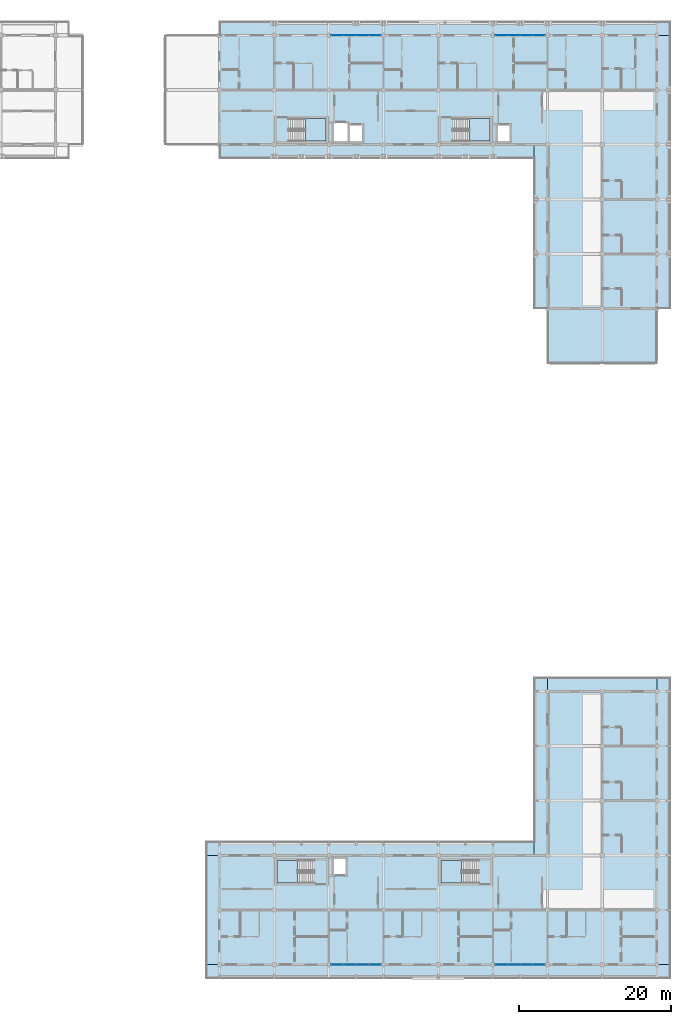
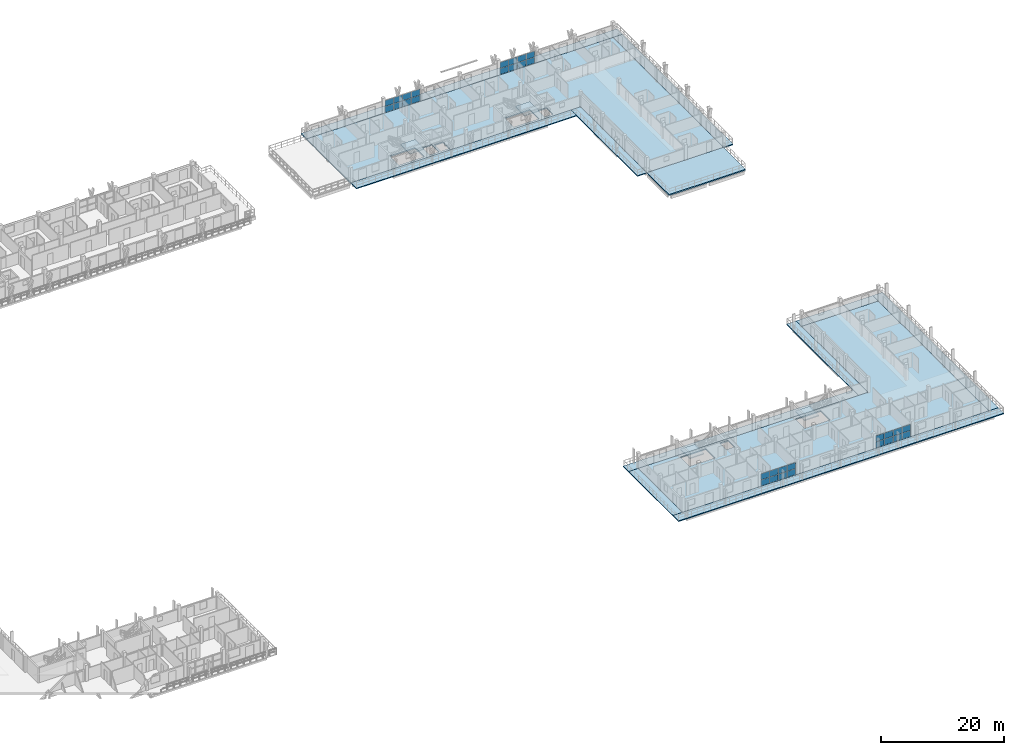
# One storey, part 31 of 73: 32 plates, 17 slabs, 8 elements without a shape of their own.
"""IFC4 building model written with IfcOpenShell, lengths in metres."""

from ifc_helpers import new_model, si_unit, direction, frame, origin, origin_2d, place, context, subcontext, project, spatial, polyline, rectangle, outline, extrude, material, layer, layer_set, type_object, element, aggregate, save


model = new_model("IFC4")

# Units and contexts
model_context = context("Model", 3, precision=1e-05, world=origin(), true_north=direction((0.0, 1.0)))
body_context = subcontext(model_context, "Body", "Model", "MODEL_VIEW")
ifc_project = project(units=[si_unit("LENGTHUNIT", "METRE"), si_unit("AREAUNIT", "SQUARE_METRE"), si_unit("VOLUMEUNIT", "CUBIC_METRE"), si_unit("PLANEANGLEUNIT", "RADIAN"), si_unit("MASSUNIT", "GRAM", prefix="KILO")], contexts=[model_context])

# Site, building, storey
site_placement = place(None, origin())
site = spatial("IfcSite", under=ifc_project, at=site_placement, CompositionType="ELEMENT")
building_placement = place(site_placement, origin())
building = spatial("IfcBuilding", under=site, at=building_placement, Name="Suanplinth Sawtooth Commons", CompositionType="ELEMENT")
storey_placement = place(building_placement, frame((0.0, 0.0, 21.89990234375)))
storey = spatial("IfcBuildingStorey", under=building, at=storey_placement, Name="L06", CompositionType="ELEMENT", Elevation=21.89990234375)

# Curtain wall, plates
ifc_material_1 = material(Name="Anodized aluminium and low-E glazing", Category="aluminium")
curtain_wall_type = type_object("IfcCurtainWallType", Name="CW-06", PredefinedType="USERDEFINED", material=ifc_material_1)
curtain_wall_1_placement = place(storey_placement, origin())
curtain_wall_1 = element("IfcCurtainWall", 1, at=curtain_wall_1_placement, inside=storey, type_object=curtain_wall_type, Name="Curtain Wall CW-L06-B-LOUNGE-20", ObjectType="CURTAIN WALL", PredefinedType="USERDEFINED")
ifc_material_2 = material(Name="Tempered low-E double glazing", Category="glass")
ifc_layer_1 = layer(ifc_material_2, 0.028076171875, Name="Vision low-E insulated glazing unit 28mm")
ifc_layer_set_1 = layer_set([ifc_layer_1], Name="Tempered low-E double glazing")
plate_type = type_object("IfcPlateType", Name="PL-05", PredefinedType="CURTAIN_PANEL", material=ifc_layer_set_1)
plate_1_placement = place(storey_placement, frame((145.12255859375, 122.39990234375, 0.065185546875), z_axis=(0.0, 0.0, 1.0), x_axis=(1.0, 0.0, 0.0)))
plate_1 = element("IfcPlate", 2, at=plate_1_placement, type_object=plate_type, Name="CW-06 panel 1.1", PredefinedType="CURTAIN_PANEL", context=body_context, shape_type="SweptSolid", body=[
    extrude(rectangle(XDim=1.56494140625, YDim=0.028076171875, at=origin_2d()), origin(), (0.0, 0.0, 1.0), 1.16748046875),
])
plate_2_placement = place(storey_placement, frame((145.12255859375, 122.39990234375, 1.297607421875), z_axis=(0.0, 0.0, 1.0), x_axis=(1.0, 0.0, 0.0)))
plate_2 = element("IfcPlate", 3, at=plate_2_placement, type_object=plate_type, Name="CW-06 panel 1.2", PredefinedType="CURTAIN_PANEL", context=body_context, shape_type="SweptSolid", body=[
    extrude(rectangle(XDim=1.56494140625, YDim=0.028076171875, at=origin_2d()), origin(), (0.0, 0.0, 1.0), 1.16748046875),
])
plate_3_placement = place(storey_placement, frame((146.768798828125, 122.39990234375, 0.065185546875), z_axis=(0.0, 0.0, 1.0), x_axis=(1.0, 0.0, 0.0)))
plate_3 = element("IfcPlate", 4, at=plate_3_placement, type_object=plate_type, Name="CW-06 panel 2.1", PredefinedType="CURTAIN_PANEL", context=body_context, shape_type="SweptSolid", body=[
    extrude(rectangle(XDim=1.597412109375, YDim=0.028076171875, at=origin_2d()), origin(), (0.0, 0.0, 1.0), 1.16748046875),
])
plate_4_placement = place(storey_placement, frame((146.768798828125, 122.39990234375, 1.297607421875), z_axis=(0.0, 0.0, 1.0), x_axis=(1.0, 0.0, 0.0)))
plate_4 = element("IfcPlate", 5, at=plate_4_placement, type_object=plate_type, Name="CW-06 panel 2.2", PredefinedType="CURTAIN_PANEL", context=body_context, shape_type="SweptSolid", body=[
    extrude(rectangle(XDim=1.597412109375, YDim=0.028076171875, at=origin_2d()), origin(), (0.0, 0.0, 1.0), 1.16748046875),
])
plate_5_placement = place(storey_placement, frame((148.43115234375, 122.39990234375, 0.065185546875), z_axis=(0.0, 0.0, 1.0), x_axis=(1.0, 0.0, 0.0)))
plate_5 = element("IfcPlate", 6, at=plate_5_placement, type_object=plate_type, Name="CW-06 panel 3.1", PredefinedType="CURTAIN_PANEL", context=body_context, shape_type="SweptSolid", body=[
    extrude(rectangle(XDim=1.597412109375, YDim=0.028076171875, at=origin_2d()), origin(), (0.0, 0.0, 1.0), 1.16748046875),
])
plate_6_placement = place(storey_placement, frame((148.43115234375, 122.39990234375, 1.297607421875), z_axis=(0.0, 0.0, 1.0), x_axis=(1.0, 0.0, 0.0)))
plate_6 = element("IfcPlate", 7, at=plate_6_placement, type_object=plate_type, Name="CW-06 panel 3.2", PredefinedType="CURTAIN_PANEL", context=body_context, shape_type="SweptSolid", body=[
    extrude(rectangle(XDim=1.597412109375, YDim=0.028076171875, at=origin_2d()), origin(), (0.0, 0.0, 1.0), 1.16748046875),
])
plate_7_placement = place(storey_placement, frame((150.077392578125, 122.39990234375, 0.065185546875), z_axis=(0.0, 0.0, 1.0), x_axis=(1.0, 0.0, 0.0)))
plate_7 = element("IfcPlate", 8, at=plate_7_placement, type_object=plate_type, Name="CW-06 panel 4.1", PredefinedType="CURTAIN_PANEL", context=body_context, shape_type="SweptSolid", body=[
    extrude(rectangle(XDim=1.56494140625, YDim=0.028076171875, at=origin_2d()), origin(), (0.0, 0.0, 1.0), 1.16748046875),
])
plate_8_placement = place(storey_placement, frame((150.077392578125, 122.39990234375, 1.297607421875), z_axis=(0.0, 0.0, 1.0), x_axis=(1.0, 0.0, 0.0)))
plate_8 = element("IfcPlate", 9, at=plate_8_placement, type_object=plate_type, Name="CW-06 panel 4.2", PredefinedType="CURTAIN_PANEL", context=body_context, shape_type="SweptSolid", body=[
    extrude(rectangle(XDim=1.56494140625, YDim=0.028076171875, at=origin_2d()), origin(), (0.0, 0.0, 1.0), 1.16748046875),
])
aggregate(curtain_wall_1, [plate_1, plate_2, plate_3, plate_4, plate_5, plate_6, plate_7, plate_8])

curtain_wall_2_placement = place(storey_placement, origin())
curtain_wall_2 = element("IfcCurtainWall", 10, at=curtain_wall_2_placement, inside=storey, type_object=curtain_wall_type, Name="Curtain Wall CW-L06-B-LOUNGE-23", ObjectType="CURTAIN WALL", PredefinedType="USERDEFINED")
plate_9_placement = place(storey_placement, frame((166.722412109375, 122.39990234375, 0.065185546875), z_axis=(0.0, 0.0, 1.0), x_axis=(1.0, 0.0, 0.0)))
plate_9 = element("IfcPlate", 11, at=plate_9_placement, type_object=plate_type, Name="CW-06 panel 1.1", PredefinedType="CURTAIN_PANEL", context=body_context, shape_type="SweptSolid", body=[
    extrude(rectangle(XDim=1.56494140625, YDim=0.028076171875, at=origin_2d()), origin(), (0.0, 0.0, 1.0), 1.16748046875),
])
plate_10_placement = place(storey_placement, frame((166.722412109375, 122.39990234375, 1.297607421875), z_axis=(0.0, 0.0, 1.0), x_axis=(1.0, 0.0, 0.0)))
plate_10 = element("IfcPlate", 12, at=plate_10_placement, type_object=plate_type, Name="CW-06 panel 1.2", PredefinedType="CURTAIN_PANEL", context=body_context, shape_type="SweptSolid", body=[
    extrude(rectangle(XDim=1.56494140625, YDim=0.028076171875, at=origin_2d()), origin(), (0.0, 0.0, 1.0), 1.16748046875),
])
plate_11_placement = place(storey_placement, frame((168.36865234375, 122.39990234375, 0.065185546875), z_axis=(0.0, 0.0, 1.0), x_axis=(1.0, 0.0, 0.0)))
plate_11 = element("IfcPlate", 13, at=plate_11_placement, type_object=plate_type, Name="CW-06 panel 2.1", PredefinedType="CURTAIN_PANEL", context=body_context, shape_type="SweptSolid", body=[
    extrude(rectangle(XDim=1.597412109375, YDim=0.028076171875, at=origin_2d()), origin(), (0.0, 0.0, 1.0), 1.16748046875),
])
plate_12_placement = place(storey_placement, frame((168.36865234375, 122.39990234375, 1.297607421875), z_axis=(0.0, 0.0, 1.0), x_axis=(1.0, 0.0, 0.0)))
plate_12 = element("IfcPlate", 14, at=plate_12_placement, type_object=plate_type, Name="CW-06 panel 2.2", PredefinedType="CURTAIN_PANEL", context=body_context, shape_type="SweptSolid", body=[
    extrude(rectangle(XDim=1.597412109375, YDim=0.028076171875, at=origin_2d()), origin(), (0.0, 0.0, 1.0), 1.16748046875),
])
plate_13_placement = place(storey_placement, frame((170.03125, 122.39990234375, 0.065185546875), z_axis=(0.0, 0.0, 1.0), x_axis=(1.0, 0.0, 0.0)))
plate_13 = element("IfcPlate", 15, at=plate_13_placement, type_object=plate_type, Name="CW-06 panel 3.1", PredefinedType="CURTAIN_PANEL", context=body_context, shape_type="SweptSolid", body=[
    extrude(rectangle(XDim=1.597412109375, YDim=0.028076171875, at=origin_2d()), origin(), (0.0, 0.0, 1.0), 1.16748046875),
])
plate_14_placement = place(storey_placement, frame((170.03125, 122.39990234375, 1.297607421875), z_axis=(0.0, 0.0, 1.0), x_axis=(1.0, 0.0, 0.0)))
plate_14 = element("IfcPlate", 16, at=plate_14_placement, type_object=plate_type, Name="CW-06 panel 3.2", PredefinedType="CURTAIN_PANEL", context=body_context, shape_type="SweptSolid", body=[
    extrude(rectangle(XDim=1.597412109375, YDim=0.028076171875, at=origin_2d()), origin(), (0.0, 0.0, 1.0), 1.16748046875),
])
plate_15_placement = place(storey_placement, frame((171.677490234375, 122.39990234375, 0.065185546875), z_axis=(0.0, 0.0, 1.0), x_axis=(1.0, 0.0, 0.0)))
plate_15 = element("IfcPlate", 17, at=plate_15_placement, type_object=plate_type, Name="CW-06 panel 4.1", PredefinedType="CURTAIN_PANEL", context=body_context, shape_type="SweptSolid", body=[
    extrude(rectangle(XDim=1.56494140625, YDim=0.028076171875, at=origin_2d()), origin(), (0.0, 0.0, 1.0), 1.16748046875),
])
plate_16_placement = place(storey_placement, frame((171.677490234375, 122.39990234375, 1.297607421875), z_axis=(0.0, 0.0, 1.0), x_axis=(1.0, 0.0, 0.0)))
plate_16 = element("IfcPlate", 18, at=plate_16_placement, type_object=plate_type, Name="CW-06 panel 4.2", PredefinedType="CURTAIN_PANEL", context=body_context, shape_type="SweptSolid", body=[
    extrude(rectangle(XDim=1.56494140625, YDim=0.028076171875, at=origin_2d()), origin(), (0.0, 0.0, 1.0), 1.16748046875),
])
aggregate(curtain_wall_2, [plate_9, plate_10, plate_11, plate_12, plate_13, plate_14, plate_15, plate_16])

curtain_wall_3_placement = place(storey_placement, origin())
curtain_wall_3 = element("IfcCurtainWall", 19, at=curtain_wall_3_placement, inside=storey, type_object=curtain_wall_type, Name="Curtain Wall CW-L06-C-LOUNGE-20", ObjectType="CURTAIN WALL", PredefinedType="USERDEFINED")
plate_17_placement = place(storey_placement, frame((145.12255859375, 0.0, 0.065185546875), z_axis=(0.0, 0.0, 1.0), x_axis=(1.0, 0.0, 0.0)))
plate_17 = element("IfcPlate", 20, at=plate_17_placement, type_object=plate_type, Name="CW-06 panel 1.1", PredefinedType="CURTAIN_PANEL", context=body_context, shape_type="SweptSolid", body=[
    extrude(rectangle(XDim=1.56494140625, YDim=0.028076171875, at=origin_2d()), origin(), (0.0, 0.0, 1.0), 1.16748046875),
])
plate_18_placement = place(storey_placement, frame((145.12255859375, 0.0, 1.297607421875), z_axis=(0.0, 0.0, 1.0), x_axis=(1.0, 0.0, 0.0)))
plate_18 = element("IfcPlate", 21, at=plate_18_placement, type_object=plate_type, Name="CW-06 panel 1.2", PredefinedType="CURTAIN_PANEL", context=body_context, shape_type="SweptSolid", body=[
    extrude(rectangle(XDim=1.56494140625, YDim=0.028076171875, at=origin_2d()), origin(), (0.0, 0.0, 1.0), 1.16748046875),
])
plate_19_placement = place(storey_placement, frame((146.768798828125, 0.0, 0.065185546875), z_axis=(0.0, 0.0, 1.0), x_axis=(1.0, 0.0, 0.0)))
plate_19 = element("IfcPlate", 22, at=plate_19_placement, type_object=plate_type, Name="CW-06 panel 2.1", PredefinedType="CURTAIN_PANEL", context=body_context, shape_type="SweptSolid", body=[
    extrude(rectangle(XDim=1.597412109375, YDim=0.028076171875, at=origin_2d()), origin(), (0.0, 0.0, 1.0), 1.16748046875),
])
plate_20_placement = place(storey_placement, frame((146.768798828125, 0.0, 1.297607421875), z_axis=(0.0, 0.0, 1.0), x_axis=(1.0, 0.0, 0.0)))
plate_20 = element("IfcPlate", 23, at=plate_20_placement, type_object=plate_type, Name="CW-06 panel 2.2", PredefinedType="CURTAIN_PANEL", context=body_context, shape_type="SweptSolid", body=[
    extrude(rectangle(XDim=1.597412109375, YDim=0.028076171875, at=origin_2d()), origin(), (0.0, 0.0, 1.0), 1.16748046875),
])
plate_21_placement = place(storey_placement, frame((148.43115234375, 0.0, 0.065185546875), z_axis=(0.0, 0.0, 1.0), x_axis=(1.0, 0.0, 0.0)))
plate_21 = element("IfcPlate", 24, at=plate_21_placement, type_object=plate_type, Name="CW-06 panel 3.1", PredefinedType="CURTAIN_PANEL", context=body_context, shape_type="SweptSolid", body=[
    extrude(rectangle(XDim=1.597412109375, YDim=0.028076171875, at=origin_2d()), origin(), (0.0, 0.0, 1.0), 1.16748046875),
])
plate_22_placement = place(storey_placement, frame((148.43115234375, 0.0, 1.297607421875), z_axis=(0.0, 0.0, 1.0), x_axis=(1.0, 0.0, 0.0)))
plate_22 = element("IfcPlate", 25, at=plate_22_placement, type_object=plate_type, Name="CW-06 panel 3.2", PredefinedType="CURTAIN_PANEL", context=body_context, shape_type="SweptSolid", body=[
    extrude(rectangle(XDim=1.597412109375, YDim=0.028076171875, at=origin_2d()), origin(), (0.0, 0.0, 1.0), 1.16748046875),
])
plate_23_placement = place(storey_placement, frame((150.077392578125, 0.0, 0.065185546875), z_axis=(0.0, 0.0, 1.0), x_axis=(1.0, 0.0, 0.0)))
plate_23 = element("IfcPlate", 26, at=plate_23_placement, type_object=plate_type, Name="CW-06 panel 4.1", PredefinedType="CURTAIN_PANEL", context=body_context, shape_type="SweptSolid", body=[
    extrude(rectangle(XDim=1.56494140625, YDim=0.028076171875, at=origin_2d()), origin(), (0.0, 0.0, 1.0), 1.16748046875),
])
plate_24_placement = place(storey_placement, frame((150.077392578125, 0.0, 1.297607421875), z_axis=(0.0, 0.0, 1.0), x_axis=(1.0, 0.0, 0.0)))
plate_24 = element("IfcPlate", 27, at=plate_24_placement, type_object=plate_type, Name="CW-06 panel 4.2", PredefinedType="CURTAIN_PANEL", context=body_context, shape_type="SweptSolid", body=[
    extrude(rectangle(XDim=1.56494140625, YDim=0.028076171875, at=origin_2d()), origin(), (0.0, 0.0, 1.0), 1.16748046875),
])
aggregate(curtain_wall_3, [plate_17, plate_18, plate_19, plate_20, plate_21, plate_22, plate_23, plate_24])

curtain_wall_4_placement = place(storey_placement, origin())
curtain_wall_4 = element("IfcCurtainWall", 28, at=curtain_wall_4_placement, inside=storey, type_object=curtain_wall_type, Name="Curtain Wall CW-L06-C-LOUNGE-23", ObjectType="CURTAIN WALL", PredefinedType="USERDEFINED")
plate_25_placement = place(storey_placement, frame((166.722412109375, 0.0, 0.065185546875), z_axis=(0.0, 0.0, 1.0), x_axis=(1.0, 0.0, 0.0)))
plate_25 = element("IfcPlate", 29, at=plate_25_placement, type_object=plate_type, Name="CW-06 panel 1.1", PredefinedType="CURTAIN_PANEL", context=body_context, shape_type="SweptSolid", body=[
    extrude(rectangle(XDim=1.56494140625, YDim=0.028076171875, at=origin_2d()), origin(), (0.0, 0.0, 1.0), 1.16748046875),
])
plate_26_placement = place(storey_placement, frame((166.722412109375, 0.0, 1.297607421875), z_axis=(0.0, 0.0, 1.0), x_axis=(1.0, 0.0, 0.0)))
plate_26 = element("IfcPlate", 30, at=plate_26_placement, type_object=plate_type, Name="CW-06 panel 1.2", PredefinedType="CURTAIN_PANEL", context=body_context, shape_type="SweptSolid", body=[
    extrude(rectangle(XDim=1.56494140625, YDim=0.028076171875, at=origin_2d()), origin(), (0.0, 0.0, 1.0), 1.16748046875),
])
plate_27_placement = place(storey_placement, frame((168.36865234375, 0.0, 0.065185546875), z_axis=(0.0, 0.0, 1.0), x_axis=(1.0, 0.0, 0.0)))
plate_27 = element("IfcPlate", 31, at=plate_27_placement, type_object=plate_type, Name="CW-06 panel 2.1", PredefinedType="CURTAIN_PANEL", context=body_context, shape_type="SweptSolid", body=[
    extrude(rectangle(XDim=1.597412109375, YDim=0.028076171875, at=origin_2d()), origin(), (0.0, 0.0, 1.0), 1.16748046875),
])
plate_28_placement = place(storey_placement, frame((168.36865234375, 0.0, 1.297607421875), z_axis=(0.0, 0.0, 1.0), x_axis=(1.0, 0.0, 0.0)))
plate_28 = element("IfcPlate", 32, at=plate_28_placement, type_object=plate_type, Name="CW-06 panel 2.2", PredefinedType="CURTAIN_PANEL", context=body_context, shape_type="SweptSolid", body=[
    extrude(rectangle(XDim=1.597412109375, YDim=0.028076171875, at=origin_2d()), origin(), (0.0, 0.0, 1.0), 1.16748046875),
])
plate_29_placement = place(storey_placement, frame((170.03125, 0.0, 0.065185546875), z_axis=(0.0, 0.0, 1.0), x_axis=(1.0, 0.0, 0.0)))
plate_29 = element("IfcPlate", 33, at=plate_29_placement, type_object=plate_type, Name="CW-06 panel 3.1", PredefinedType="CURTAIN_PANEL", context=body_context, shape_type="SweptSolid", body=[
    extrude(rectangle(XDim=1.597412109375, YDim=0.028076171875, at=origin_2d()), origin(), (0.0, 0.0, 1.0), 1.16748046875),
])
plate_30_placement = place(storey_placement, frame((170.03125, 0.0, 1.297607421875), z_axis=(0.0, 0.0, 1.0), x_axis=(1.0, 0.0, 0.0)))
plate_30 = element("IfcPlate", 34, at=plate_30_placement, type_object=plate_type, Name="CW-06 panel 3.2", PredefinedType="CURTAIN_PANEL", context=body_context, shape_type="SweptSolid", body=[
    extrude(rectangle(XDim=1.597412109375, YDim=0.028076171875, at=origin_2d()), origin(), (0.0, 0.0, 1.0), 1.16748046875),
])
plate_31_placement = place(storey_placement, frame((171.677490234375, 0.0, 0.065185546875), z_axis=(0.0, 0.0, 1.0), x_axis=(1.0, 0.0, 0.0)))
plate_31 = element("IfcPlate", 35, at=plate_31_placement, type_object=plate_type, Name="CW-06 panel 4.1", PredefinedType="CURTAIN_PANEL", context=body_context, shape_type="SweptSolid", body=[
    extrude(rectangle(XDim=1.56494140625, YDim=0.028076171875, at=origin_2d()), origin(), (0.0, 0.0, 1.0), 1.16748046875),
])
plate_32_placement = place(storey_placement, frame((171.677490234375, 0.0, 1.297607421875), z_axis=(0.0, 0.0, 1.0), x_axis=(1.0, 0.0, 0.0)))
plate_32 = element("IfcPlate", 36, at=plate_32_placement, type_object=plate_type, Name="CW-06 panel 4.2", PredefinedType="CURTAIN_PANEL", context=body_context, shape_type="SweptSolid", body=[
    extrude(rectangle(XDim=1.56494140625, YDim=0.028076171875, at=origin_2d()), origin(), (0.0, 0.0, 1.0), 1.16748046875),
])
aggregate(curtain_wall_4, [plate_25, plate_26, plate_27, plate_28, plate_29, plate_30, plate_31, plate_32])

# Slabs
ifc_material_3 = material(Name="Precast concrete C40/50", Category="concrete")
ifc_layer_2 = layer(ifc_material_3, 0.179931640625, Name="Wrap-around cantilevered precast balcony slab 180mm")
ifc_layer_set_2 = layer_set([ifc_layer_2], Name="Precast concrete C40/50")
slab_type_1 = type_object("IfcSlabType", Name="S-BL01", PredefinedType="FLOOR", material=ifc_layer_set_2)
slab_1_placement = place(storey_placement, frame((0.0, 0.0, -0.179931640625)))
element("IfcSlab", 37, at=slab_1_placement, inside=storey, type_object=slab_type_1, Name="L06 Block B Wrap-Around Balcony N", PredefinedType="FLOOR", context=body_context, shape_type="SweptSolid", body=[
    extrude(outline(polyline([(129.60009765625, 124.199951171875), (189.0, 124.199951171875), (189.0, 122.39990234375), (129.60009765625, 122.39990234375), (129.60009765625, 124.199951171875)])), origin(), (0.0, 0.0, 1.0), 0.179931640625),
])
slab_2_placement = place(storey_placement, frame((0.0, 0.0, -0.179931640625)))
element("IfcSlab", 38, at=slab_2_placement, inside=storey, type_object=slab_type_1, Name="L06 Block B Wrap-Around Balcony E", PredefinedType="FLOOR", context=body_context, shape_type="SweptSolid", body=[
    extrude(outline(polyline([(189.0, 122.39990234375), (189.0, 86.39990234375), (187.199951171875, 86.39990234375), (187.199951171875, 122.39990234375), (189.0, 122.39990234375)])), origin(), (0.0, 0.0, 1.0), 0.179931640625),
])
slab_3_placement = place(storey_placement, frame((0.0, 0.0, -0.179931640625)))
element("IfcSlab", 39, at=slab_3_placement, inside=storey, type_object=slab_type_1, Name="L06 Block C Wrap-Around Balcony S", PredefinedType="FLOOR", context=body_context, shape_type="SweptSolid", body=[
    extrude(outline(polyline([(189.0, 0.0), (189.0, -1.800048828125), (127.800048828125, -1.800048828125), (127.800048828125, 0.0), (189.0, 0.0)])), origin(), (0.0, 0.0, 1.0), 0.179931640625),
])
slab_4_placement = place(storey_placement, frame((0.0, 0.0, -0.179931640625)))
element("IfcSlab", 40, at=slab_4_placement, inside=storey, type_object=slab_type_1, Name="L06 Block C Wrap-Around Balcony E", PredefinedType="FLOOR", context=body_context, shape_type="SweptSolid", body=[
    extrude(outline(polyline([(187.199951171875, 37.800048828125), (189.0, 37.800048828125), (189.0, 0.0), (187.199951171875, 0.0), (187.199951171875, 37.800048828125)])), origin(), (0.0, 0.0, 1.0), 0.179931640625),
])
slab_5_placement = place(storey_placement, frame((0.0, 0.0, -0.179931640625)))
element("IfcSlab", 41, at=slab_5_placement, inside=storey, type_object=slab_type_1, Name="L06 Block C Wrap-Around Balcony WEND", PredefinedType="FLOOR", context=body_context, shape_type="SweptSolid", body=[
    extrude(outline(polyline([(129.60009765625, 0.0), (127.800048828125, 0.0), (127.800048828125, 14.39990234375), (129.60009765625, 14.39990234375), (129.60009765625, 0.0)])), origin(), (0.0, 0.0, 1.0), 0.179931640625),
])
slab_6_placement = place(storey_placement, frame((0.0, 0.0, -0.179931640625)))
element("IfcSlab", 42, at=slab_6_placement, inside=storey, type_object=slab_type_1, Name="L06 Block C Wrap-Around Balcony NEND", PredefinedType="FLOOR", context=body_context, shape_type="SweptSolid", body=[
    extrude(outline(polyline([(172.800048828125, 37.800048828125), (187.199951171875, 37.800048828125), (187.199951171875, 36.0), (172.800048828125, 36.0), (172.800048828125, 37.800048828125)])), origin(), (0.0, 0.0, 1.0), 0.179931640625),
])
ifc_layer_3 = layer(ifc_material_3, 0.175048828125, Name="Courtyard cantilevered precast balcony slab 175mm")
ifc_layer_set_3 = layer_set([ifc_layer_3], Name="Precast concrete C40/50")
slab_type_2 = type_object("IfcSlabType", Name="S-BL02", PredefinedType="FLOOR", material=ifc_layer_set_3)
slab_7_placement = place(storey_placement, frame((0.0, 0.0, -0.1748046875)))
element("IfcSlab", 43, at=slab_7_placement, inside=storey, type_object=slab_type_2, Name="L06 Block B Wrap-Around Balcony SC", PredefinedType="FLOOR", context=body_context, shape_type="SweptSolid", body=[
    extrude(outline(polyline([(171.0, 106.199951171875), (129.60009765625, 106.199951171875), (129.60009765625, 108.0), (171.0, 108.0), (171.0, 106.199951171875)])), origin(), (0.0, 0.0, 1.0), 0.1748046875),
])
slab_8_placement = place(storey_placement, frame((0.0, 0.0, -0.1748046875)))
element("IfcSlab", 44, at=slab_8_placement, inside=storey, type_object=slab_type_2, Name="L06 Block B Wrap-Around Balcony WC", PredefinedType="FLOOR", context=body_context, shape_type="SweptSolid", body=[
    extrude(outline(polyline([(172.800048828125, 86.39990234375), (171.0, 86.39990234375), (171.0, 108.0), (172.800048828125, 108.0), (172.800048828125, 86.39990234375)])), origin(), (0.0, 0.0, 1.0), 0.1748046875),
])
slab_9_placement = place(storey_placement, frame((0.0, 0.0, -0.1748046875)))
element("IfcSlab", 45, at=slab_9_placement, inside=storey, type_object=slab_type_2, Name="L06 Block C Wrap-Around Balcony NC", PredefinedType="FLOOR", context=body_context, shape_type="SweptSolid", body=[
    extrude(outline(polyline([(127.800048828125, 14.39990234375), (127.800048828125, 16.199951171875), (171.0, 16.199951171875), (171.0, 14.39990234375), (127.800048828125, 14.39990234375)])), origin(), (0.0, 0.0, 1.0), 0.1748046875),
])
slab_10_placement = place(storey_placement, frame((0.0, 0.0, -0.1748046875)))
element("IfcSlab", 46, at=slab_10_placement, inside=storey, type_object=slab_type_2, Name="L06 Block C Wrap-Around Balcony WC", PredefinedType="FLOOR", context=body_context, shape_type="SweptSolid", body=[
    extrude(outline(polyline([(172.800048828125, 14.39990234375), (171.0, 14.39990234375), (171.0, 37.800048828125), (172.800048828125, 37.800048828125), (172.800048828125, 14.39990234375)])), origin(), (0.0, 0.0, 1.0), 0.1748046875),
])
ifc_layer_4 = layer(ifc_material_3, 0.239990234375, Name="Precast hollow-core + topping floor slab 240mm")
ifc_layer_set_4 = layer_set([ifc_layer_4], Name="Precast concrete C40/50")
slab_type_3 = type_object("IfcSlabType", Name="S-FL02", PredefinedType="FLOOR", material=ifc_layer_set_4)
slab_11_placement = place(storey_placement, frame((0.0, 0.0, -0.239990234375)))
element("IfcSlab", 47, at=slab_11_placement, inside=storey, type_object=slab_type_3, Name="L06 Block B Structural Floor Plate", PredefinedType="FLOOR", context=body_context, shape_type="SweptSolid", body=[
    extrude(outline(polyline([(172.800048828125, 108.0), (129.60009765625, 108.0), (129.60009765625, 122.39990234375), (187.199951171875, 122.39990234375), (187.199951171875, 86.39990234375), (172.800048828125, 86.39990234375), (172.800048828125, 108.0)]), holes=[polyline([(138.889892578125, 108.449951171875), (143.64990234375, 108.449951171875), (143.64990234375, 111.449951171875), (138.889892578125, 111.449951171875), (138.889892578125, 108.449951171875)]), polyline([(144.64990234375, 108.449951171875), (146.449951171875, 108.449951171875), (146.449951171875, 110.85009765625), (144.64990234375, 110.85009765625), (144.64990234375, 108.449951171875)]), polyline([(146.800048828125, 108.449951171875), (148.39990234375, 108.449951171875), (148.39990234375, 110.550048828125), (146.800048828125, 110.550048828125), (146.800048828125, 108.449951171875)]), polyline([(160.489990234375, 108.449951171875), (165.25, 108.449951171875), (165.25, 111.449951171875), (160.489990234375, 111.449951171875), (160.489990234375, 108.449951171875)]), polyline([(166.25, 108.449951171875), (167.85009765625, 108.449951171875), (167.85009765625, 110.550048828125), (166.25, 110.550048828125), (166.25, 108.449951171875)])]), origin(), (0.0, 0.0, 1.0), 0.239990234375),
])
slab_12_placement = place(storey_placement, frame((0.0, 0.0, -0.239990234375)))
element("IfcSlab", 48, at=slab_12_placement, inside=storey, type_object=slab_type_3, Name="L06 Block C Structural Floor Plate", PredefinedType="FLOOR", context=body_context, shape_type="SweptSolid", body=[
    extrude(outline(polyline([(187.199951171875, 0.0), (129.60009765625, 0.0), (129.60009765625, 14.39990234375), (172.800048828125, 14.39990234375), (172.800048828125, 36.0), (187.199951171875, 36.0), (187.199951171875, 0.0)]), holes=[polyline([(137.14990234375, 10.75), (141.909912109375, 10.75), (141.909912109375, 13.75), (137.14990234375, 13.75), (137.14990234375, 10.75)]), polyline([(144.64990234375, 11.85009765625), (146.25, 11.85009765625), (146.25, 13.949951171875), (144.64990234375, 13.949951171875), (144.64990234375, 11.85009765625)]), polyline([(158.75, 10.75), (163.510009765625, 10.75), (163.510009765625, 13.75), (158.75, 13.75), (158.75, 10.75)])]), origin(), (0.0, 0.0, 1.0), 0.239990234375),
])

# Stair, slab
ifc_material_4 = material(Name="Concrete C40/50", Category="concrete")
stair_type = type_object("IfcStairType", Name="ST-07", PredefinedType="USERDEFINED", material=ifc_material_4)
stair_1_placement = place(storey_placement, origin())
stair_1 = element("IfcStair", 49, at=stair_1_placement, inside=storey, type_object=stair_type, Name="L06 Exit Stair ST-E1", ObjectType="TWO_RETURN_STAIR", PredefinedType="USERDEFINED")
ifc_layer_5 = layer(ifc_material_4, 0.199951171875, Name="Reinforced concrete stair and ramp landing slab 200mm")
ifc_layer_set_5 = layer_set([ifc_layer_5], Name="Concrete C40/50")
slab_type_4 = type_object("IfcSlabType", Name="S-LD01", PredefinedType="LANDING", material=ifc_layer_set_5)
slab_13_placement = place(storey_placement, frame((0.0, 0.0, 1.400146484375)))
slab_13 = element("IfcSlab", 50, at=slab_13_placement, type_object=slab_type_4, Name="ST-07 landing 1", PredefinedType="LANDING", context=body_context, shape_type="SweptSolid", body=[
    extrude(outline(polyline([(140.929931640625, 108.449951171875), (143.64990234375, 108.449951171875), (143.64990234375, 111.449951171875), (140.929931640625, 111.449951171875), (140.929931640625, 108.449951171875)])), origin(), (0.0, 0.0, 1.0), 0.199951171875),
])
aggregate(stair_1, [slab_13])

stair_2_placement = place(storey_placement, origin())
stair_2 = element("IfcStair", 51, at=stair_2_placement, inside=storey, type_object=stair_type, Name="L06 Exit Stair ST-E2", ObjectType="TWO_RETURN_STAIR", PredefinedType="USERDEFINED")
slab_14_placement = place(storey_placement, frame((0.0, 0.0, 1.400146484375)))
slab_14 = element("IfcSlab", 52, at=slab_14_placement, type_object=slab_type_4, Name="ST-07 landing 1", PredefinedType="LANDING", context=body_context, shape_type="SweptSolid", body=[
    extrude(outline(polyline([(162.530029296875, 108.449951171875), (165.25, 108.449951171875), (165.25, 111.449951171875), (162.530029296875, 111.449951171875), (162.530029296875, 108.449951171875)])), origin(), (0.0, 0.0, 1.0), 0.199951171875),
])
aggregate(stair_2, [slab_14])

stair_3_placement = place(storey_placement, origin())
stair_3 = element("IfcStair", 53, at=stair_3_placement, inside=storey, type_object=stair_type, Name="L06 Exit Stair ST-S1", ObjectType="TWO_RETURN_STAIR", PredefinedType="USERDEFINED")
slab_15_placement = place(storey_placement, frame((0.0, 0.0, 1.400146484375)))
slab_15 = element("IfcSlab", 54, at=slab_15_placement, type_object=slab_type_4, Name="ST-07 landing 1", PredefinedType="LANDING", context=body_context, shape_type="SweptSolid", body=[
    extrude(outline(polyline([(139.8701171875, 13.75), (137.14990234375, 13.75), (137.14990234375, 10.75), (139.8701171875, 10.75), (139.8701171875, 13.75)])), origin(), (0.0, 0.0, 1.0), 0.199951171875),
])
aggregate(stair_3, [slab_15])

stair_4_placement = place(storey_placement, origin())
stair_4 = element("IfcStair", 55, at=stair_4_placement, inside=storey, type_object=stair_type, Name="L06 Exit Stair ST-S2", ObjectType="TWO_RETURN_STAIR", PredefinedType="USERDEFINED")
slab_16_placement = place(storey_placement, frame((0.0, 0.0, 1.400146484375)))
slab_16 = element("IfcSlab", 56, at=slab_16_placement, type_object=slab_type_4, Name="ST-07 landing 1", PredefinedType="LANDING", context=body_context, shape_type="SweptSolid", body=[
    extrude(outline(polyline([(161.469970703125, 13.75), (158.75, 13.75), (158.75, 10.75), (161.469970703125, 10.75), (161.469970703125, 13.75)])), origin(), (0.0, 0.0, 1.0), 0.199951171875),
])
aggregate(stair_4, [slab_16])

# Slab
ifc_layer_6 = layer(ifc_material_4, 0.239990234375, Name="Stepped sky-terrace & courtyard garden slab 240mm")
ifc_layer_set_6 = layer_set([ifc_layer_6], Name="Concrete C40/50")
slab_type_5 = type_object("IfcSlabType", Name="S-TR01", PredefinedType="FLOOR", material=ifc_layer_set_6)
slab_17_placement = place(storey_placement, frame((0.0, 0.0, -0.239990234375)))
element("IfcSlab", 57, at=slab_17_placement, inside=storey, type_object=slab_type_5, Name="L06 Block B Stepped Sky-Terrace 2", PredefinedType="FLOOR", context=body_context, shape_type="SweptSolid", body=[
    extrude(outline(polyline([(187.199951171875, 79.199951171875), (172.800048828125, 79.199951171875), (172.800048828125, 86.39990234375), (187.199951171875, 86.39990234375), (187.199951171875, 79.199951171875)])), origin(), (0.0, 0.0, 1.0), 0.239990234375),
])

save(model, "model.ifc")
